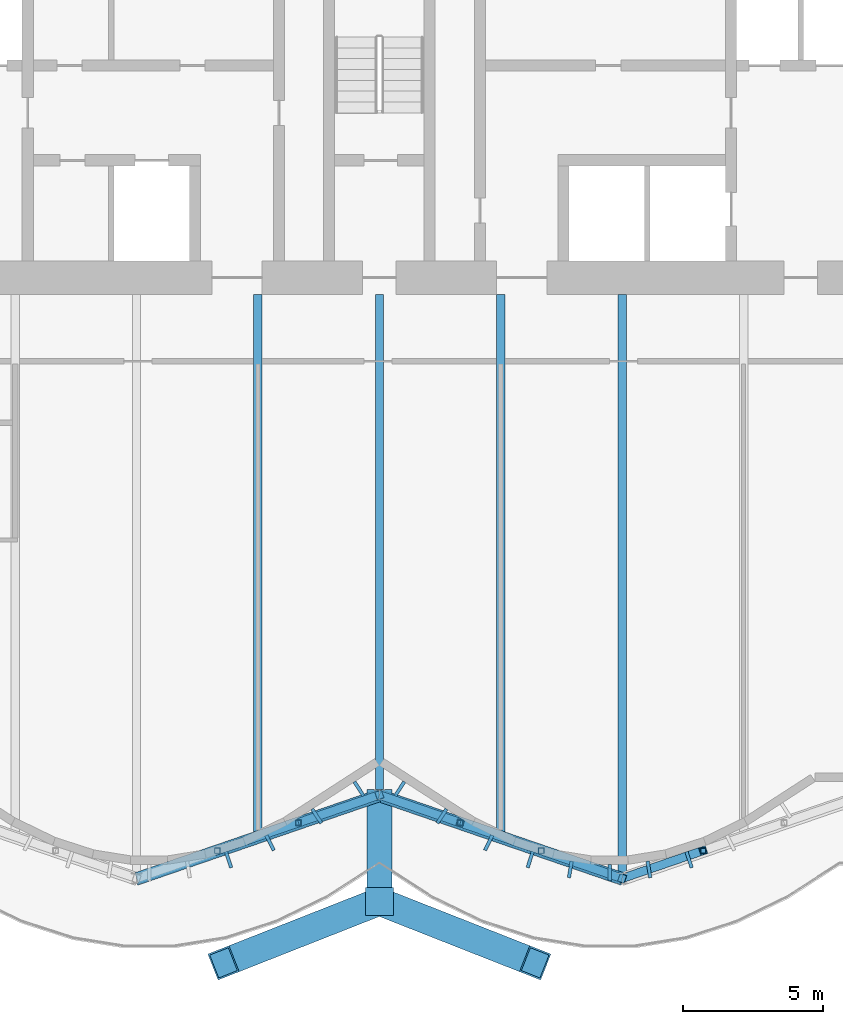
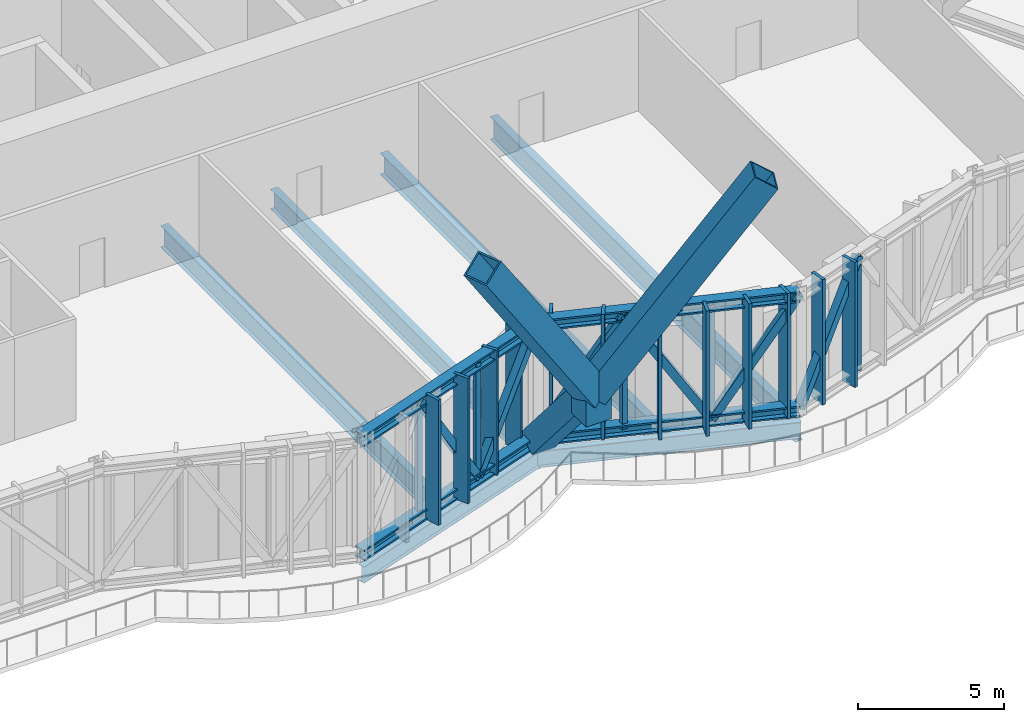
# One storey, part 10 of 30: 31 members, 6 beams, 1 element without a shape of its own.
"""IFC4 building model written with IfcOpenShell, lengths in metres."""

from ifc_helpers import new_model, si_unit, direction, frame, origin, origin_2d, place, context, subcontext, project, spatial, rectangle, hollow_rectangle, i_section, extrude, material, material_profile, profile_set, type_object, element, aggregate, save


model = new_model("IFC4")

# Units and contexts
model_context = context("Model", 3, precision=1e-05, world=origin(), true_north=direction((0.0, 1.0)))
body_context = subcontext(model_context, "Body", "Model", "MODEL_VIEW")
ifc_project = project(units=[si_unit("LENGTHUNIT", "METRE"), si_unit("AREAUNIT", "SQUARE_METRE"), si_unit("VOLUMEUNIT", "CUBIC_METRE"), si_unit("PLANEANGLEUNIT", "RADIAN"), si_unit("MASSUNIT", "GRAM", prefix="KILO")], contexts=[model_context])

# Site, building, storey
site_placement = place(None, origin())
site = spatial("IfcSite", under=ifc_project, at=site_placement, CompositionType="ELEMENT")
building_placement = place(site_placement, origin())
building = spatial("IfcBuilding", under=site, at=building_placement, Name="Bicima Exchange Tower", CompositionType="ELEMENT")
storey_placement = place(building_placement, frame((0.0, 0.0, 185.5)))
storey = spatial("IfcBuildingStorey", under=building, at=storey_placement, Name="L41", CompositionType="ELEMENT", Elevation=185.5)

# Curtain wall, members
ifc_material_1 = material(Name="Anodised bronze aluminium", Category="aluminium")
curtain_wall_type = type_object("IfcCurtainWallType", Name="Band blade screen", PredefinedType="NOTDEFINED", material=ifc_material_1)
curtain_wall_placement = place(storey_placement, origin())
curtain_wall = element("IfcCurtainWall", 1, at=curtain_wall_placement, inside=storey, type_object=curtain_wall_type, Name="Band blade screen L41", PredefinedType="NOTDEFINED")
ifc_material_profile_1 = material_profile(ifc_material_1, rectangle(XDim=0.60009765625, YDim=0.1201171875, at=origin_2d()))
ifc_profile_set_1 = profile_set([ifc_material_profile_1], Name="Anodised bronze aluminium")
member_type_1 = type_object("IfcMemberType", Name="Band blade fin 600 x 120", PredefinedType="USERDEFINED", material=ifc_profile_set_1)
member_1_placement = place(storey_placement, frame((-5.403564453125, -33.258056640625, 0.0), z_axis=(0.0, 0.0, 1.0), x_axis=(-0.307552591055, 0.951531083956, 0.0)))
member_1 = element("IfcMember", 2, at=member_1_placement, type_object=member_type_1, Name="Band blade fin 35", ObjectType="FIN", PredefinedType="USERDEFINED", context=body_context, shape_type="SweptSolid", body=[
    extrude(rectangle(XDim=0.60009765625, YDim=0.1201171875, at=origin_2d()), origin(), (0.0, 0.0, 1.0), 5.25),
])
member_2_placement = place(storey_placement, frame((-3.916259765625, -32.654541015625, 0.0), z_axis=(0.0, 0.0, 1.0), x_axis=(-0.436286748784, 0.899807686584, 0.0)))
member_2 = element("IfcMember", 3, at=member_2_placement, type_object=member_type_1, Name="Band blade fin 36", ObjectType="FIN", PredefinedType="USERDEFINED", context=body_context, shape_type="SweptSolid", body=[
    extrude(rectangle(XDim=0.60009765625, YDim=0.1201171875, at=origin_2d()), origin(), (0.0, 0.0, 1.0), 5.25),
])
member_3_placement = place(storey_placement, frame((-2.242919921875, -31.69482421875, 0.0), z_axis=(0.0, 0.0, 1.0), x_axis=(-0.542909183079, 0.839791413941, 0.0)))
member_3 = element("IfcMember", 4, at=member_3_placement, type_object=member_type_1, Name="Band blade fin 37", ObjectType="FIN", PredefinedType="USERDEFINED", context=body_context, shape_type="SweptSolid", body=[
    extrude(rectangle(XDim=0.60009765625, YDim=0.1201171875, at=origin_2d()), origin(), (0.0, 0.0, 1.0), 5.25),
])
member_4_placement = place(storey_placement, frame((-0.731201171875, -30.7177734375, 0.0), z_axis=(0.0, 0.0, 1.0), x_axis=(-0.542909183079, 0.839791413941, 0.0)))
member_4 = element("IfcMember", 5, at=member_4_placement, type_object=member_type_1, Name="Band blade fin 38", ObjectType="FIN", PredefinedType="USERDEFINED", context=body_context, shape_type="SweptSolid", body=[
    extrude(rectangle(XDim=0.60009765625, YDim=0.1201171875, at=origin_2d()), origin(), (0.0, 0.0, 1.0), 5.25),
])
member_5_placement = place(storey_placement, frame((0.731201171875, -30.7177734375, 0.0), z_axis=(0.0, 0.0, 1.0), x_axis=(0.542909183079, 0.839791413941, 0.0)))
member_5 = element("IfcMember", 6, at=member_5_placement, type_object=member_type_1, Name="Band blade fin 39", ObjectType="FIN", PredefinedType="USERDEFINED", context=body_context, shape_type="SweptSolid", body=[
    extrude(rectangle(XDim=0.60009765625, YDim=0.1201171875, at=origin_2d()), origin(), (0.0, 0.0, 1.0), 5.25),
])
member_6_placement = place(storey_placement, frame((2.242919921875, -31.69482421875, 0.0), z_axis=(0.0, 0.0, 1.0), x_axis=(0.542909183079, 0.839791413941, 0.0)))
member_6 = element("IfcMember", 7, at=member_6_placement, type_object=member_type_1, Name="Band blade fin 40", ObjectType="FIN", PredefinedType="USERDEFINED", context=body_context, shape_type="SweptSolid", body=[
    extrude(rectangle(XDim=0.60009765625, YDim=0.1201171875, at=origin_2d()), origin(), (0.0, 0.0, 1.0), 5.25),
])
member_7_placement = place(storey_placement, frame((3.916259765625, -32.654541015625, 0.0), z_axis=(0.0, 0.0, 1.0), x_axis=(0.436286748784, 0.899807686584, 0.0)))
member_7 = element("IfcMember", 8, at=member_7_placement, type_object=member_type_1, Name="Band blade fin 41", ObjectType="FIN", PredefinedType="USERDEFINED", context=body_context, shape_type="SweptSolid", body=[
    extrude(rectangle(XDim=0.60009765625, YDim=0.1201171875, at=origin_2d()), origin(), (0.0, 0.0, 1.0), 5.25),
])
member_8_placement = place(storey_placement, frame((5.403564453125, -33.258056640625, 0.0), z_axis=(0.0, 0.0, 1.0), x_axis=(0.307552591055, 0.951531083956, 0.0)))
member_8 = element("IfcMember", 9, at=member_8_placement, type_object=member_type_1, Name="Band blade fin 42", ObjectType="FIN", PredefinedType="USERDEFINED", context=body_context, shape_type="SweptSolid", body=[
    extrude(rectangle(XDim=0.60009765625, YDim=0.1201171875, at=origin_2d()), origin(), (0.0, 0.0, 1.0), 5.25),
])
member_9_placement = place(storey_placement, frame((6.84130859375, -33.6083984375, 0.0), z_axis=(0.0, 0.0, 1.0), x_axis=(0.159533156447, 0.987192570877, 0.0)))
member_9 = element("IfcMember", 10, at=member_9_placement, type_object=member_type_1, Name="Band blade fin 43", ObjectType="FIN", PredefinedType="USERDEFINED", context=body_context, shape_type="SweptSolid", body=[
    extrude(rectangle(XDim=0.60009765625, YDim=0.1201171875, at=origin_2d()), origin(), (0.0, 0.0, 1.0), 5.25),
])
member_10_placement = place(storey_placement, frame((8.25, -33.722900390625, 0.0), z_axis=(0.0, 0.0, 1.0), x_axis=(0.0, 1.0, 0.0)))
member_10 = element("IfcMember", 11, at=member_10_placement, type_object=member_type_1, Name="Band blade fin 44", ObjectType="FIN", PredefinedType="USERDEFINED", context=body_context, shape_type="SweptSolid", body=[
    extrude(rectangle(XDim=0.60009765625, YDim=0.1201171875, at=origin_2d()), origin(), (0.0, 0.0, 1.0), 5.25),
])
member_11_placement = place(storey_placement, frame((9.65869140625, -33.6083984375, 0.0), z_axis=(0.0, 0.0, 1.0), x_axis=(-0.159533156447, 0.987192570877, 0.0)))
member_11 = element("IfcMember", 12, at=member_11_placement, type_object=member_type_1, Name="Band blade fin 45", ObjectType="FIN", PredefinedType="USERDEFINED", context=body_context, shape_type="SweptSolid", body=[
    extrude(rectangle(XDim=0.60009765625, YDim=0.1201171875, at=origin_2d()), origin(), (0.0, 0.0, 1.0), 5.25),
])
member_12_placement = place(storey_placement, frame((11.096435546875, -33.258056640625, 0.0), z_axis=(0.0, 0.0, 1.0), x_axis=(-0.307552591055, 0.951531083956, 0.0)))
member_12 = element("IfcMember", 13, at=member_12_placement, type_object=member_type_1, Name="Band blade fin 46", ObjectType="FIN", PredefinedType="USERDEFINED", context=body_context, shape_type="SweptSolid", body=[
    extrude(rectangle(XDim=0.60009765625, YDim=0.1201171875, at=origin_2d()), origin(), (0.0, 0.0, 1.0), 5.25),
])
aggregate(curtain_wall, [member_1, member_2, member_3, member_4, member_5, member_6, member_7, member_8, member_9, member_10, member_11, member_12])

# Members
ifc_material_2 = material(Name="Steel ASTM A992 Gr 50", Category="steel")
ifc_material_profile_2 = material_profile(ifc_material_2, i_section(OverallWidth=0.419189453125, OverallDepth=0.45458984375, WebThickness=0.042236328125, FlangeThickness=0.067626953125, at=origin_2d()))
ifc_profile_set_2 = profile_set([ifc_material_profile_2], Name="Steel ASTM A992 Gr 50")
member_type_2 = type_object("IfcMemberType", Name="Belt truss chord W14x370", PredefinedType="CHORD", material=ifc_profile_set_2)
for number, where, z_axis, x_axis, name in (
    (14, (-8.699951171875, -33.92919921875, 5.022705078125), (0.945666456746, 0.325138359143, 0.0), (-0.325138359143, 0.945666456746, 0.0), "Top chord"),
    (15, (-8.699951171875, -33.92919921875, 0.227294921875), (0.945666456746, 0.325138359143, 0.0), (-0.325138359143, 0.945666456746, 0.0), "Bottom chord"),
    (16, (0.0, -30.93798828125, 5.022705078125), (0.945666456746, -0.325138359143, 0.0), (0.325138359143, 0.945666456746, 0.0), "Top chord"),
    (17, (0.0, -30.93798828125, 0.227294921875), (0.945666456746, -0.325138359143, 0.0), (0.325138359143, 0.945666456746, 0.0), "Bottom chord"),
):
    element("IfcMember", number, at=place(storey_placement, frame(where, z_axis=z_axis, x_axis=x_axis)), inside=storey, type_object=member_type_2, Name=name, PredefinedType="CHORD", context=body_context, shape_type="SweptSolid", body=[
        extrude(i_section(OverallWidth=0.419189453125, OverallDepth=0.45458984375, WebThickness=0.042236328125, FlangeThickness=0.067626953125, at=origin_2d()), origin(), (0.0, 0.0, 1.0), 9.19970703125),
    ])
ifc_material_3 = material(Name="Steel ASTM A572 Gr 50", Category="steel")
ifc_material_profile_3 = material_profile(ifc_material_3, hollow_rectangle(XDim=0.3046875, YDim=0.3046875, WallThickness=0.01171875, at=origin_2d()))
ifc_profile_set_3 = profile_set([ifc_material_profile_3], Name="Steel ASTM A572 Gr 50")
member_type_3 = type_object("IfcMemberType", Name="Belt truss diagonal HSS12x12x1/2", PredefinedType="STRUT", material=ifc_profile_set_3)
for number, where, z_axis, x_axis, name in (
    (18, (-5.800048828125, -32.931884765625, 5.022705078125), (0.509500101887, 0.175123235626, -0.842461570946), (-0.325050844265, 0.94569654152, 0.0), "Truss diagonal"),
    (19, (-2.89990234375, -31.93505859375, 0.227294921875), (0.509464516765, 0.175168638362, 0.842473651987), (-0.325146518908, 0.945663651222, 0.0), "Truss diagonal"),
    (20, (0.0, -30.93798828125, 0.227294921875), (0.509464516765, -0.175168638362, 0.842473651987), (0.325146518908, 0.945663651222, 0.0), "Truss diagonal"),
    (21, (2.89990234375, -31.93505859375, 5.022705078125), (0.509500101887, -0.175123235626, -0.842461570946), (0.325050844265, 0.94569654152, 0.0), "Truss diagonal"),
    (22, (5.800048828125, -32.931884765625, 0.227294921875), (0.509460688613, -0.17521021325, 0.842467321581), (0.325217713975, 0.945639169301, 0.0), "Truss diagonal"),
    (23, (8.699951171875, -33.92919921875, 0.227294921875), (0.509492446291, 0.175206384637, 0.842448912371), (-0.325193231743, 0.945647588708, 0.0), "Truss diagonal"),
):
    element("IfcMember", number, at=place(storey_placement, frame(where, z_axis=z_axis, x_axis=x_axis)), inside=storey, type_object=member_type_3, Name=name, PredefinedType="STRUT", context=body_context, shape_type="SweptSolid", body=[
        extrude(hollow_rectangle(XDim=0.3046875, YDim=0.3046875, WallThickness=0.01171875, at=origin_2d()), origin(), (0.0, 0.0, 1.0), 5.692138671875),
    ])
ifc_material_profile_4 = material_profile(ifc_material_3, hollow_rectangle(XDim=0.203125, YDim=0.203125, WallThickness=0.01171875, at=origin_2d()))
ifc_profile_set_4 = profile_set([ifc_material_profile_4], Name="Steel ASTM A572 Gr 50")
member_type_4 = type_object("IfcMemberType", Name="Belt truss post HSS8x8x1/2", PredefinedType="POST", material=ifc_profile_set_4)
for number, where, z_axis, x_axis, name in (
    (24, (-5.800048828125, -32.931884765625, 0.227294921875), (0.0, 0.0, 1.0), (1.0, 0.0, 0.0), "Truss post"),
    (25, (-2.89990234375, -31.93505859375, 0.227294921875), (0.0, 0.0, 1.0), (1.0, 0.0, 0.0), "Truss post"),
    (26, (2.89990234375, -31.93505859375, 0.227294921875), (0.0, 0.0, 1.0), (1.0, 0.0, 0.0), "Truss post"),
    (27, (5.800048828125, -32.931884765625, 0.227294921875), (0.0, 0.0, 1.0), (1.0, 0.0, 0.0), "Truss post"),
    (28, (11.60009765625, -32.931884765625, 0.227294921875), (0.0, 0.0, 1.0), (1.0, 0.0, 0.0), "Truss post"),
):
    element("IfcMember", number, at=place(storey_placement, frame(where, z_axis=z_axis, x_axis=x_axis)), inside=storey, type_object=member_type_4, Name=name, PredefinedType="POST", context=body_context, shape_type="SweptSolid", body=[
        extrude(hollow_rectangle(XDim=0.203125, YDim=0.203125, WallThickness=0.01171875, at=origin_2d()), origin(), (0.0, 0.0, 1.0), 4.79541015625),
    ])
ifc_material_profile_5 = material_profile(ifc_material_3, hollow_rectangle(XDim=1.0, YDim=1.0, WallThickness=0.06005859375, at=origin_2d()))
ifc_profile_set_5 = profile_set([ifc_material_profile_5], Name="Steel ASTM A572 Gr 50")
member_type_5 = type_object("IfcMemberType", Name="Exo mega brace BOX 1000x1000x60", PredefinedType="BRACE", material=ifc_profile_set_5)
for number, where, z_axis, x_axis, name in (
    (29, (0.0, -34.756591796875, 4.5), (0.540137902224, -0.212687122722, 0.814257474273), (0.366383630861, 0.93046388164, 0.0), "Exo mega brace front"),
    (30, (0.0, -34.756591796875, 4.5), (-0.540137902224, -0.212687122722, 0.814257474273), (0.366383630861, -0.93046388164, 0.0), "Exo mega brace front"),
):
    element("IfcMember", number, at=place(storey_placement, frame(where, z_axis=z_axis, x_axis=x_axis)), inside=storey, type_object=member_type_5, Name=name, PredefinedType="BRACE", context=body_context, shape_type="SweptSolid", body=[
        extrude(hollow_rectangle(XDim=1.0, YDim=1.0, WallThickness=0.06005859375, at=origin_2d()), origin(), (0.0, 0.0, 1.0), 10.336669921875),
    ])
ifc_material_4 = material(Name="Cast steel ASTM A216 Gr WCB", Category="steel")
ifc_material_profile_6 = material_profile(ifc_material_4, rectangle(XDim=1.0, YDim=1.0, at=origin_2d()))
ifc_profile_set_6 = profile_set([ifc_material_profile_6], Name="Cast steel ASTM A216 Gr WCB")
member_type_6 = type_object("IfcMemberType", Name="Exo node block", PredefinedType="POST", material=ifc_profile_set_6)
member_13_placement = place(storey_placement, frame((0.0, -34.756591796875, 3.449951171875), z_axis=(0.0, 0.0, 1.0), x_axis=(1.0, 0.0, 0.0)))
element("IfcMember", 31, at=member_13_placement, inside=storey, type_object=member_type_6, Name="Exo node block", PredefinedType="POST", context=body_context, shape_type="SweptSolid", body=[
    extrude(rectangle(XDim=1.0, YDim=1.0, at=origin_2d()), origin(), (0.0, 0.0, 1.0), 1.800048828125),
])
ifc_material_profile_7 = material_profile(ifc_material_3, hollow_rectangle(XDim=0.89990234375, YDim=0.89990234375, WallThickness=0.050048828125, at=origin_2d()))
ifc_profile_set_7 = profile_set([ifc_material_profile_7], Name="Steel ASTM A572 Gr 50")
member_type_7 = type_object("IfcMemberType", Name="Exo outrigger stub BOX 900x900x50", PredefinedType="STRUT", material=ifc_profile_set_7)
member_14_placement = place(storey_placement, frame((0.0, -31.087890625, 0.227294921875), z_axis=(0.0, -0.651444466604, 0.758696320626), x_axis=(1.0, 0.0, 0.0)))
element("IfcMember", 32, at=member_14_placement, inside=storey, type_object=member_type_7, Name="Exo outrigger stub", PredefinedType="STRUT", context=body_context, shape_type="SweptSolid", body=[
    extrude(hollow_rectangle(XDim=0.89990234375, YDim=0.89990234375, WallThickness=0.050048828125, at=origin_2d()), origin(), (0.0, 0.0, 1.0), 5.631591796875),
])

# Beams
ifc_material_profile_8 = material_profile(ifc_material_2, i_section(OverallWidth=0.2919921875, OverallDepth=0.835693359375, WebThickness=0.013916015625, FlangeThickness=0.018798828125, at=origin_2d()))
ifc_profile_set_8 = profile_set([ifc_material_profile_8], Name="Steel ASTM A992 Gr 50")
beam_type_1 = type_object("IfcBeamType", Name="Floor beam W33x118", PredefinedType="JOIST", material=ifc_profile_set_8)
beam_1_placement = place(storey_placement, frame((0.0, -13.0, -0.617919921875), z_axis=(0.0, -1.0, 0.0), x_axis=(1.0, 0.0, 0.0)))
element("IfcBeam", 33, at=beam_1_placement, inside=storey, type_object=beam_type_1, Name="Floor beam", PredefinedType="JOIST", context=body_context, shape_type="SweptSolid", body=[
    extrude(i_section(OverallWidth=0.2919921875, OverallDepth=0.835693359375, WebThickness=0.013916015625, FlangeThickness=0.018798828125, at=origin_2d()), origin(), (0.0, 0.0, 1.0), 18.06005859375),
])
ifc_material_profile_9 = material_profile(ifc_material_2, i_section(OverallWidth=0.3046875, OverallDepth=0.904296875, WebThickness=0.01513671875, FlangeThickness=0.02001953125, at=origin_2d()))
ifc_profile_set_9 = profile_set([ifc_material_profile_9], Name="Steel ASTM A992 Gr 50")
beam_type_2 = type_object("IfcBeamType", Name="Floor beam W36x135", PredefinedType="JOIST", material=ifc_profile_set_9)
for number, where, z_axis, x_axis, name in (
    (34, (-4.35009765625, -13.0, -0.652099609375), (0.0, -1.0, 0.0), (1.0, 0.0, 0.0), "Floor beam"),
    (35, (4.35009765625, -13.0, -0.652099609375), (0.0, -1.0, 0.0), (1.0, 0.0, 0.0), "Floor beam"),
):
    element("IfcBeam", number, at=place(storey_placement, frame(where, z_axis=z_axis, x_axis=x_axis)), inside=storey, type_object=beam_type_2, Name=name, PredefinedType="JOIST", context=body_context, shape_type="SweptSolid", body=[
        extrude(i_section(OverallWidth=0.3046875, OverallDepth=0.904296875, WebThickness=0.01513671875, FlangeThickness=0.02001953125, at=origin_2d()), origin(), (0.0, 0.0, 1.0), 19.419921875),
    ])
ifc_material_profile_10 = material_profile(ifc_material_2, i_section(OverallWidth=0.2998046875, OverallDepth=0.97021484375, WebThickness=0.01611328125, FlangeThickness=0.02099609375, at=origin_2d()))
ifc_profile_set_10 = profile_set([ifc_material_profile_10], Name="Steel ASTM A992 Gr 50")
beam_type_3 = type_object("IfcBeamType", Name="Floor beam W40x149", PredefinedType="JOIST", material=ifc_profile_set_10)
beam_2_placement = place(storey_placement, frame((8.699951171875, -13.0, -0.68505859375), z_axis=(0.0, -1.0, 0.0), x_axis=(1.0, 0.0, 0.0)))
element("IfcBeam", 36, at=beam_2_placement, inside=storey, type_object=beam_type_3, Name="Floor beam", PredefinedType="JOIST", context=body_context, shape_type="SweptSolid", body=[
    extrude(i_section(OverallWidth=0.2998046875, OverallDepth=0.97021484375, WebThickness=0.01611328125, FlangeThickness=0.02099609375, at=origin_2d()), origin(), (0.0, 0.0, 1.0), 20.915283203125),
])
ifc_material_profile_11 = material_profile(ifc_material_2, i_section(OverallWidth=0.256591796875, OverallDepth=0.693359375, WebThickness=0.014404296875, FlangeThickness=0.023681640625, at=origin_2d()))
ifc_profile_set_11 = profile_set([ifc_material_profile_11], Name="Steel ASTM A992 Gr 50")
beam_type_4 = type_object("IfcBeamType", Name="Front girder W27x114", PredefinedType="BEAM", material=ifc_profile_set_11)
for number, where, z_axis, x_axis, name in (
    (37, (-8.699951171875, -34.051025390625, -0.546630859375), (0.945674616091, 0.32511462668, 0.0), (-0.32511462668, 0.945674616091, 0.0), "Front girder"),
    (38, (0.0, -31.06005859375, -0.546630859375), (0.945674616091, -0.32511462668, 0.0), (0.32511462668, 0.945674616091, 0.0), "Front girder"),
):
    element("IfcBeam", number, at=place(storey_placement, frame(where, z_axis=z_axis, x_axis=x_axis)), inside=storey, type_object=beam_type_4, Name=name, PredefinedType="BEAM", context=body_context, shape_type="SweptSolid", body=[
        extrude(i_section(OverallWidth=0.256591796875, OverallDepth=0.693359375, WebThickness=0.014404296875, FlangeThickness=0.023681640625, at=origin_2d()), origin(), (0.0, 0.0, 1.0), 9.19970703125),
    ])

save(model, "model.ifc")
